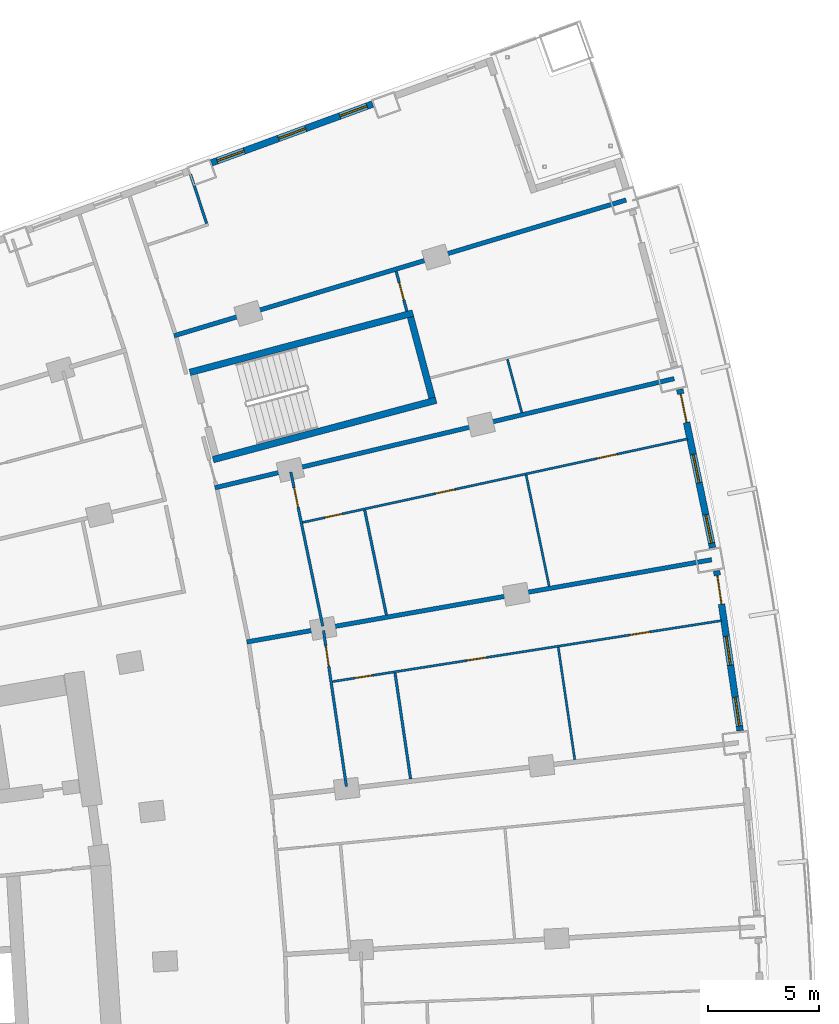
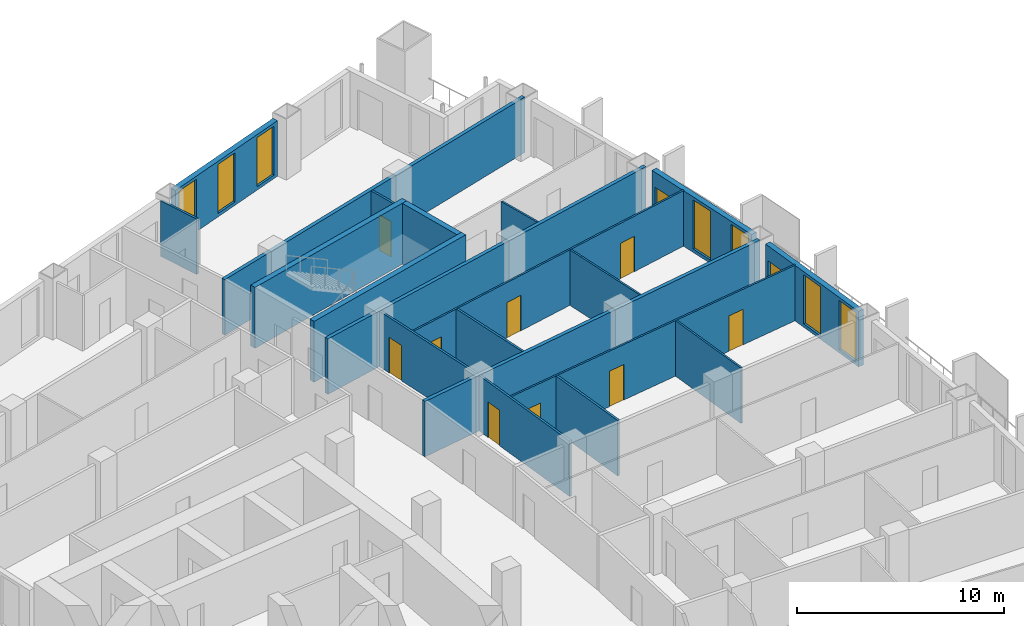
# One storey, part 20 of 25: 20 walls, 11 doors, 7 windows, 18 openings.
"""IFC4 building model written with IfcOpenShell, lengths in metres."""

from ifc_helpers import new_model, si_unit, direction, frame, frame_2d, origin, place, context, subcontext, project, spatial, rectangle, extrude, material, layer, layer_set, type_object, element, fill, save


model = new_model("IFC4")

# Units and contexts
model_context = context("Model", 3, precision=1e-05, world=origin(), true_north=direction((0.0, 1.0)))
body_context = subcontext(model_context, "Body", "Model", "MODEL_VIEW")
ifc_project = project(units=[si_unit("LENGTHUNIT", "METRE"), si_unit("AREAUNIT", "SQUARE_METRE"), si_unit("VOLUMEUNIT", "CUBIC_METRE"), si_unit("PLANEANGLEUNIT", "RADIAN"), si_unit("MASSUNIT", "GRAM", prefix="KILO")], contexts=[model_context])

# Site, building, storey
site_placement = place(None, origin())
site = spatial("IfcSite", under=ifc_project, at=site_placement, CompositionType="ELEMENT")
building_placement = place(site_placement, origin())
building = spatial("IfcBuilding", under=site, at=building_placement, Name="Alderwake Tower", CompositionType="ELEMENT")
storey_placement = place(building_placement, frame((0.0, 0.0, 68.0)))
storey = spatial("IfcBuildingStorey", under=building, at=storey_placement, Name="L16", CompositionType="ELEMENT", Elevation=68.0)

# Walls
ifc_material_1 = material(Name="Concrete C70/85", Category="concrete")
ifc_layer_1 = layer(ifc_material_1, 0.300048828125)
ifc_layer_set_1 = layer_set([ifc_layer_1], Name="Core wall stair enclosure 300 C70-85")
wall_type_1 = type_object("IfcWallType", Name="Core wall stair enclosure 300 C70-85", PredefinedType="SHEAR", material=ifc_layer_set_1)
for number, where, z_axis, x_axis, name in (
    (1, (36.71142578125, 94.182373046875, 0.0), (0.0, 0.0, 1.0), (0.966309214305, 0.257383958996, 0.0), "Core wall CW.082"),
    (2, (37.75390625, 90.268798828125, 0.0), (0.0, 0.0, 1.0), (0.966309214305, 0.257383958996, 0.0), "Core wall CW.084"),
):
    element("IfcWall", number, at=place(storey_placement, frame(where, z_axis=z_axis, x_axis=x_axis)), inside=storey, type_object=wall_type_1, Name=name, PredefinedType="SHEAR", context=body_context, shape_type="SweptSolid", body=[
        extrude(rectangle(XDim=10.360107421875, YDim=0.300048828125, at=frame_2d((5.18017578125, 0.0))), origin(), (0.0, 0.0, 1.0), 3.60009765625),
    ])
wall_1_placement = place(storey_placement, frame((47.581298828125, 93.041748046875, 0.0), z_axis=(0.0, 0.0, 1.0), x_axis=(-0.257366821694, 0.966313778796, 0.0)))
element("IfcWall", 3, at=wall_1_placement, inside=storey, type_object=wall_type_1, Name="Core wall CW.081", PredefinedType="SHEAR", context=body_context, shape_type="SweptSolid", body=[
    extrude(rectangle(XDim=3.749755859375, YDim=0.300048828125, at=frame_2d((1.875, 0.0))), origin(), (0.0, 0.0, 1.0), 3.60009765625),
])

# Wall, openings, door, windows
ifc_material_2 = material(Name="Precast concrete C50/60 spandrel panel", Category="concrete")
ifc_layer_2 = layer(ifc_material_2, 0.300048828125)
ifc_layer_set_2 = layer_set([ifc_layer_2], Name="External wall EW1 Precast concrete C50/60 spandrel")
wall_type_2 = type_object("IfcWallType", Name="External wall EW1 Precast concrete C50/60 spandrel", PredefinedType="SOLIDWALL", material=ifc_layer_set_2)
wall_2_placement = place(storey_placement, frame((61.405517578125, 78.1005859375, 0.0), z_axis=(0.0, 0.0, 1.0), x_axis=(-0.145323578953, 0.989384180892, 0.0)))
wall_2 = element("IfcWall", 4, at=wall_2_placement, inside=storey, type_object=wall_type_2, Name="External wall 19", PredefinedType="SOLIDWALL", context=body_context, shape_type="SweptSolid", body=[
    extrude(rectangle(XDim=7.25927734375, YDim=0.300048828125, at=frame_2d((3.629638671875, 0.0))), origin(), (0.0, 0.0, 1.0), 3.280029296875),
])
opening_1_placement = place(wall_2_placement, frame((0.215087890625, 0.0, 0.199951171875)))
opening_1 = element("IfcOpeningElement", 5, at=opening_1_placement, cuts=wall_2, Name="Opening W1", PredefinedType="OPENING", context=body_context, shape_type="SweptSolid", body=[
    extrude(rectangle(XDim=1.300048828125, YDim=2.89990234375, at=frame_2d((0.64990234375, 1.449951171875))), frame((0.0, 0.159912109375, 0.0), z_axis=(0.0, -1.0, 0.0), x_axis=(1.0, 0.0, 0.0)), (0.0, 0.0, 1.0), 0.320068359375),
])
opening_2_placement = place(wall_2_placement, frame((2.9794921875, 0.0, 0.199951171875)))
opening_2 = element("IfcOpeningElement", 6, at=opening_2_placement, cuts=wall_2, Name="Opening W1", PredefinedType="OPENING", context=body_context, shape_type="SweptSolid", body=[
    extrude(rectangle(XDim=1.300048828125, YDim=2.89990234375, at=frame_2d((0.64990234375, 1.449951171875))), frame((0.0, 0.159912109375, 0.0), z_axis=(0.0, -1.0, 0.0), x_axis=(1.0, 0.0, 0.0)), (0.0, 0.0, 1.0), 0.320068359375),
])
opening_3_placement = place(wall_2_placement, frame((5.744140625, 0.0, 0.0)))
opening_3 = element("IfcOpeningElement", 7, at=opening_3_placement, cuts=wall_2, Name="Opening D10", PredefinedType="OPENING", context=body_context, shape_type="SweptSolid", body=[
    extrude(rectangle(XDim=1.300048828125, YDim=2.39990234375, at=frame_2d((0.64990234375, 1.199951171875))), frame((0.0, 0.159912109375, 0.0), z_axis=(0.0, -1.0, 0.0), x_axis=(1.0, 0.0, 0.0)), (0.0, 0.0, 1.0), 0.320068359375),
])
ifc_material_3 = material(Name="Bronze tinted glass in aluminium frame", Category="aluminium")
door_type_1 = type_object("IfcDoorType", Name="Balcony door BD sliding", OperationType="SLIDING_TO_LEFT", PredefinedType="DOOR", material=ifc_material_3)
door_1_placement = place(opening_3_placement, origin())
door_1 = element("IfcDoor", 8, at=door_1_placement, inside=storey, type_object=door_type_1, Name="Door D10", OperationType="SLIDING_TO_LEFT", OverallHeight=2.39990234375, OverallWidth=1.300048828125, PredefinedType="DOOR", context=body_context, shape_type="SweptSolid", body=[
    extrude(rectangle(XDim=1.300048828125, YDim=2.39990234375, at=frame_2d((0.64990234375, 1.199951171875))), frame((0.0, 0.02490234375, 0.0), z_axis=(0.0, -1.0, 0.0), x_axis=(1.0, 0.0, 0.0)), (0.0, 0.0, 1.0), 0.050048828125),
])
fill(opening_3, door_1)
ifc_material_4 = material(Name="Bronze tinted glass in aluminium frame", Category="aluminium")
window_type = type_object("IfcWindowType", Name="Window W1 tall fixed and vent", PartitioningType="DOUBLE_PANEL_VERTICAL", PredefinedType="WINDOW", material=ifc_material_4)
window_1_placement = place(opening_1_placement, origin())
window_1 = element("IfcWindow", 9, at=window_1_placement, inside=storey, type_object=window_type, Name="Window W1 tall fixed and vent", OverallHeight=2.89990234375, OverallWidth=1.300048828125, PartitioningType="DOUBLE_PANEL_VERTICAL", PredefinedType="WINDOW", context=body_context, shape_type="SweptSolid", body=[
    extrude(rectangle(XDim=1.300048828125, YDim=2.89990234375, at=frame_2d((0.64990234375, 1.449951171875))), frame((0.0, 0.030029296875, 0.0), z_axis=(0.0, -1.0, 0.0), x_axis=(1.0, 0.0, 0.0)), (0.0, 0.0, 1.0), 0.06005859375),
])
fill(opening_1, window_1)
window_2_placement = place(opening_2_placement, origin())
window_2 = element("IfcWindow", 10, at=window_2_placement, inside=storey, type_object=window_type, Name="Window W1 tall fixed and vent", OverallHeight=2.89990234375, OverallWidth=1.300048828125, PartitioningType="DOUBLE_PANEL_VERTICAL", PredefinedType="WINDOW", context=body_context, shape_type="SweptSolid", body=[
    extrude(rectangle(XDim=1.300048828125, YDim=2.89990234375, at=frame_2d((0.64990234375, 1.449951171875))), frame((0.0, 0.030029296875, 0.0), z_axis=(0.0, -1.0, 0.0), x_axis=(1.0, 0.0, 0.0)), (0.0, 0.0, 1.0), 0.06005859375),
])
fill(opening_2, window_2)

wall_3_placement = place(storey_placement, frame((60.16796875, 86.3154296875, 0.0), z_axis=(0.0, 0.0, 1.0), x_axis=(-0.20276685811, 0.97922704275, 0.0)))
wall_3 = element("IfcWall", 11, at=wall_3_placement, inside=storey, type_object=wall_type_2, Name="External wall 20", PredefinedType="SOLIDWALL", context=body_context, shape_type="SweptSolid", body=[
    extrude(rectangle(XDim=7.25927734375, YDim=0.300048828125, at=frame_2d((3.629638671875, 0.0))), origin(), (0.0, 0.0, 1.0), 3.280029296875),
])
opening_4_placement = place(wall_3_placement, frame((0.215087890625, 0.0, 0.199951171875)))
opening_4 = element("IfcOpeningElement", 12, at=opening_4_placement, cuts=wall_3, Name="Opening W1", PredefinedType="OPENING", context=body_context, shape_type="SweptSolid", body=[
    extrude(rectangle(XDim=1.300048828125, YDim=2.89990234375, at=frame_2d((0.64990234375, 1.449951171875))), frame((0.0, 0.159912109375, 0.0), z_axis=(0.0, -1.0, 0.0), x_axis=(1.0, 0.0, 0.0)), (0.0, 0.0, 1.0), 0.320068359375),
])
opening_5_placement = place(wall_3_placement, frame((2.9794921875, 0.0, 0.199951171875)))
opening_5 = element("IfcOpeningElement", 13, at=opening_5_placement, cuts=wall_3, Name="Opening W1", PredefinedType="OPENING", context=body_context, shape_type="SweptSolid", body=[
    extrude(rectangle(XDim=1.300048828125, YDim=2.89990234375, at=frame_2d((0.64990234375, 1.449951171875))), frame((0.0, 0.159912109375, 0.0), z_axis=(0.0, -1.0, 0.0), x_axis=(1.0, 0.0, 0.0)), (0.0, 0.0, 1.0), 0.320068359375),
])
opening_6_placement = place(wall_3_placement, frame((5.744140625, 0.0, 0.0)))
opening_6 = element("IfcOpeningElement", 14, at=opening_6_placement, cuts=wall_3, Name="Opening D11", PredefinedType="OPENING", context=body_context, shape_type="SweptSolid", body=[
    extrude(rectangle(XDim=1.300048828125, YDim=2.39990234375, at=frame_2d((0.64990234375, 1.199951171875))), frame((0.0, 0.159912109375, 0.0), z_axis=(0.0, -1.0, 0.0), x_axis=(1.0, 0.0, 0.0)), (0.0, 0.0, 1.0), 0.320068359375),
])
door_2_placement = place(opening_6_placement, origin())
door_2 = element("IfcDoor", 15, at=door_2_placement, inside=storey, type_object=door_type_1, Name="Door D11", OperationType="SLIDING_TO_LEFT", OverallHeight=2.39990234375, OverallWidth=1.300048828125, PredefinedType="DOOR", context=body_context, shape_type="SweptSolid", body=[
    extrude(rectangle(XDim=1.300048828125, YDim=2.39990234375, at=frame_2d((0.64990234375, 1.199951171875))), frame((0.0, 0.02490234375, 0.0), z_axis=(0.0, -1.0, 0.0), x_axis=(1.0, 0.0, 0.0)), (0.0, 0.0, 1.0), 0.050048828125),
])
fill(opening_6, door_2)
window_3_placement = place(opening_4_placement, origin())
window_3 = element("IfcWindow", 16, at=window_3_placement, inside=storey, type_object=window_type, Name="Window W1 tall fixed and vent", OverallHeight=2.89990234375, OverallWidth=1.300048828125, PartitioningType="DOUBLE_PANEL_VERTICAL", PredefinedType="WINDOW", context=body_context, shape_type="SweptSolid", body=[
    extrude(rectangle(XDim=1.300048828125, YDim=2.89990234375, at=frame_2d((0.64990234375, 1.449951171875))), frame((0.0, 0.030029296875, 0.0), z_axis=(0.0, -1.0, 0.0), x_axis=(1.0, 0.0, 0.0)), (0.0, 0.0, 1.0), 0.06005859375),
])
fill(opening_4, window_3)
window_4_placement = place(opening_5_placement, origin())
window_4 = element("IfcWindow", 17, at=window_4_placement, inside=storey, type_object=window_type, Name="Window W1 tall fixed and vent", OverallHeight=2.89990234375, OverallWidth=1.300048828125, PartitioningType="DOUBLE_PANEL_VERTICAL", PredefinedType="WINDOW", context=body_context, shape_type="SweptSolid", body=[
    extrude(rectangle(XDim=1.300048828125, YDim=2.89990234375, at=frame_2d((0.64990234375, 1.449951171875))), frame((0.0, 0.030029296875, 0.0), z_axis=(0.0, -1.0, 0.0), x_axis=(1.0, 0.0, 0.0)), (0.0, 0.0, 1.0), 0.06005859375),
])
fill(opening_5, window_4)

# Wall, openings, windows
ifc_material_5 = material(Name="Bronze metal cladding on lightweight framing")
ifc_layer_3 = layer(ifc_material_5, 0.300048828125)
ifc_layer_set_3 = layer_set([ifc_layer_3], Name="External wall EW2 bronze metal cladding")
wall_type_3 = type_object("IfcWallType", Name="External wall EW2 bronze metal cladding", PredefinedType="SOLIDWALL", material=ifc_layer_set_3)
wall_4_placement = place(storey_placement, frame((44.91259765625, 106.22412109375, 0.0), z_axis=(0.0, 0.0, 1.0), x_axis=(-0.939374999544, -0.342891542958, 0.0)))
wall_4 = element("IfcWall", 18, at=wall_4_placement, inside=storey, type_object=wall_type_3, Name="External wall 26", PredefinedType="SOLIDWALL", context=body_context, shape_type="SweptSolid", body=[
    extrude(rectangle(XDim=7.696044921875, YDim=0.300048828125, at=frame_2d((3.84814453125, 0.0))), origin(), (0.0, 0.0, 1.0), 3.280029296875),
])
opening_7_placement = place(wall_4_placement, frame((0.2646484375, 0.0, 0.199951171875)))
opening_7 = element("IfcOpeningElement", 19, at=opening_7_placement, cuts=wall_4, Name="Opening W1", PredefinedType="OPENING", context=body_context, shape_type="SweptSolid", body=[
    extrude(rectangle(XDim=1.300048828125, YDim=2.89990234375, at=frame_2d((0.64990234375, 1.449951171875))), frame((0.0, 0.159912109375, 0.0), z_axis=(0.0, -1.0, 0.0), x_axis=(1.0, 0.0, 0.0)), (0.0, 0.0, 1.0), 0.320068359375),
])
opening_8_placement = place(wall_4_placement, frame((3.197998046875, 0.0, 0.199951171875)))
opening_8 = element("IfcOpeningElement", 20, at=opening_8_placement, cuts=wall_4, Name="Opening W1", PredefinedType="OPENING", context=body_context, shape_type="SweptSolid", body=[
    extrude(rectangle(XDim=1.300048828125, YDim=2.89990234375, at=frame_2d((0.64990234375, 1.449951171875))), frame((0.0, 0.159912109375, 0.0), z_axis=(0.0, -1.0, 0.0), x_axis=(1.0, 0.0, 0.0)), (0.0, 0.0, 1.0), 0.320068359375),
])
opening_9_placement = place(wall_4_placement, frame((6.13134765625, 0.0, 0.199951171875)))
opening_9 = element("IfcOpeningElement", 21, at=opening_9_placement, cuts=wall_4, Name="Opening W1", PredefinedType="OPENING", context=body_context, shape_type="SweptSolid", body=[
    extrude(rectangle(XDim=1.300048828125, YDim=2.89990234375, at=frame_2d((0.64990234375, 1.449951171875))), frame((0.0, 0.159912109375, 0.0), z_axis=(0.0, -1.0, 0.0), x_axis=(1.0, 0.0, 0.0)), (0.0, 0.0, 1.0), 0.320068359375),
])
window_5_placement = place(opening_7_placement, origin())
window_5 = element("IfcWindow", 22, at=window_5_placement, inside=storey, type_object=window_type, Name="Window W1 tall fixed and vent", OverallHeight=2.89990234375, OverallWidth=1.300048828125, PartitioningType="DOUBLE_PANEL_VERTICAL", PredefinedType="WINDOW", context=body_context, shape_type="SweptSolid", body=[
    extrude(rectangle(XDim=1.300048828125, YDim=2.89990234375, at=frame_2d((0.64990234375, 1.449951171875))), frame((0.0, 0.030029296875, 0.0), z_axis=(0.0, -1.0, 0.0), x_axis=(1.0, 0.0, 0.0)), (0.0, 0.0, 1.0), 0.06005859375),
])
fill(opening_7, window_5)
window_6_placement = place(opening_8_placement, origin())
window_6 = element("IfcWindow", 23, at=window_6_placement, inside=storey, type_object=window_type, Name="Window W1 tall fixed and vent", OverallHeight=2.89990234375, OverallWidth=1.300048828125, PartitioningType="DOUBLE_PANEL_VERTICAL", PredefinedType="WINDOW", context=body_context, shape_type="SweptSolid", body=[
    extrude(rectangle(XDim=1.300048828125, YDim=2.89990234375, at=frame_2d((0.64990234375, 1.449951171875))), frame((0.0, 0.030029296875, 0.0), z_axis=(0.0, -1.0, 0.0), x_axis=(1.0, 0.0, 0.0)), (0.0, 0.0, 1.0), 0.06005859375),
])
fill(opening_8, window_6)
window_7_placement = place(opening_9_placement, origin())
window_7 = element("IfcWindow", 24, at=window_7_placement, inside=storey, type_object=window_type, Name="Window W1 tall fixed and vent", OverallHeight=2.89990234375, OverallWidth=1.300048828125, PartitioningType="DOUBLE_PANEL_VERTICAL", PredefinedType="WINDOW", context=body_context, shape_type="SweptSolid", body=[
    extrude(rectangle(XDim=1.300048828125, YDim=2.89990234375, at=frame_2d((0.64990234375, 1.449951171875))), frame((0.0, 0.030029296875, 0.0), z_axis=(0.0, -1.0, 0.0), x_axis=(1.0, 0.0, 0.0)), (0.0, 0.0, 1.0), 0.06005859375),
])
fill(opening_9, window_7)

# Walls
ifc_material_6 = material(Name="Dense block masonry wall", Category="masonry")
ifc_layer_4 = layer(ifc_material_6, 0.199951171875)
ifc_layer_set_4 = layer_set([ifc_layer_4], Name="Party wall 200")
wall_type_4 = type_object("IfcWallType", Name="Party wall 200", PredefinedType="SOLIDWALL", material=ifc_layer_set_4)
wall_5_placement = place(storey_placement, frame((37.839111328125, 89.006591796875, 0.0), z_axis=(0.0, 0.0, 1.0), x_axis=(0.972904338918, 0.23120801741, 0.0)))
element("IfcWall", 25, at=wall_5_placement, inside=storey, type_object=wall_type_4, Name="WL/L16/W07", PredefinedType="SOLIDWALL", context=body_context, shape_type="SweptSolid", body=[
    extrude(rectangle(XDim=21.177734375, YDim=0.199951171875, at=frame_2d((10.5888671875, 0.0))), origin(), (0.0, 0.0, 1.0), 3.280029296875),
])
wall_6_placement = place(storey_placement, frame((56.2890625, 101.9189453125, 0.0), z_axis=(0.0, 0.0, 1.0), x_axis=(-0.95773994747, -0.287635521137, 0.0)))
element("IfcWall", 26, at=wall_6_placement, inside=storey, type_object=wall_type_4, Name="WL/L16/W09", PredefinedType="SOLIDWALL", context=body_context, shape_type="SweptSolid", body=[
    extrude(rectangle(XDim=21.1796875, YDim=0.199951171875, at=frame_2d((10.58984375, 0.0))), origin(), (0.0, 0.0, 1.0), 3.280029296875),
])
wall_7_placement = place(storey_placement, frame((60.1259765625, 85.77587890625, 0.0), z_axis=(0.0, 0.0, 1.0), x_axis=(-0.984717809282, -0.174157503663, 0.0)))
element("IfcWall", 27, at=wall_7_placement, inside=storey, type_object=wall_type_4, Name="WL/L16/W11", PredefinedType="SOLIDWALL", context=body_context, shape_type="SweptSolid", body=[
    extrude(rectangle(XDim=21.180419921875, YDim=0.199951171875, at=frame_2d((10.59033203125, 0.0))), origin(), (0.0, 0.0, 1.0), 3.280029296875),
])

# Wall, openings, doors
ifc_material_7 = material(Name="Gypsum board on metal studs")
ifc_layer_5 = layer(ifc_material_7, 0.10009765625)
ifc_layer_set_5 = layer_set([ifc_layer_5], Name="Unit partition 100")
wall_type_5 = type_object("IfcWallType", Name="Unit partition 100", PredefinedType="PARTITIONING", material=ifc_layer_set_5)
wall_8_placement = place(storey_placement, frame((59.054931640625, 91.202880859375, 0.0), z_axis=(0.0, 0.0, 1.0), x_axis=(-0.977230284705, -0.212181456906, 0.0)))
wall_8 = element("IfcWall", 28, at=wall_8_placement, inside=storey, type_object=wall_type_5, Name="WL/L16/W75", PredefinedType="PARTITIONING", context=body_context, shape_type="SweptSolid", body=[
    extrude(rectangle(XDim=17.683837890625, YDim=0.10009765625, at=frame_2d((8.841796875, 0.0))), origin(), (0.0, 0.0, 1.0), 3.280029296875),
])
opening_10_placement = place(wall_8_placement, frame((10.688720703125, 0.0, 0.0)))
opening_10 = element("IfcOpeningElement", 29, at=opening_10_placement, cuts=wall_8, Name="Opening R04-U11.1", PredefinedType="OPENING", context=body_context, shape_type="SweptSolid", body=[
    extrude(rectangle(XDim=0.89990234375, YDim=2.10009765625, at=frame_2d((0.449951171875, 1.050048828125))), frame((0.0, 0.06005859375, 0.0), z_axis=(0.0, -1.0, 0.0), x_axis=(1.0, 0.0, 0.0)), (0.0, 0.0, 1.0), 0.1201171875),
])
opening_11_placement = place(wall_8_placement, frame((15.86474609375, 0.0, 0.0)))
opening_11 = element("IfcOpeningElement", 30, at=opening_11_placement, cuts=wall_8, Name="Opening R04-U11.4", PredefinedType="OPENING", context=body_context, shape_type="SweptSolid", body=[
    extrude(rectangle(XDim=0.800048828125, YDim=2.10009765625, at=frame_2d((0.39990234375, 1.050048828125))), frame((0.0, 0.06005859375, 0.0), z_axis=(0.0, -1.0, 0.0), x_axis=(1.0, 0.0, 0.0)), (0.0, 0.0, 1.0), 0.1201171875),
])
opening_12_placement = place(wall_8_placement, frame((3.26611328125, 0.0, 0.0)))
opening_12 = element("IfcOpeningElement", 31, at=opening_12_placement, cuts=wall_8, Name="Opening R04-U11.5", PredefinedType="OPENING", context=body_context, shape_type="SweptSolid", body=[
    extrude(rectangle(XDim=0.89990234375, YDim=2.10009765625, at=frame_2d((0.449951171875, 1.050048828125))), frame((0.0, 0.06005859375, 0.0), z_axis=(0.0, -1.0, 0.0), x_axis=(1.0, 0.0, 0.0)), (0.0, 0.0, 1.0), 0.1201171875),
])
ifc_material_8 = material(Name="Painted timber leaf", Category="wood")
door_type_2 = type_object("IfcDoorType", Name="Bathroom door 800", OperationType="SINGLE_SWING_LEFT", PredefinedType="DOOR", material=ifc_material_8)
door_3_placement = place(opening_11_placement, origin())
door_3 = element("IfcDoor", 32, at=door_3_placement, inside=storey, type_object=door_type_2, Name="DR/L16/U11.4", OperationType="SINGLE_SWING_LEFT", OverallHeight=2.10009765625, OverallWidth=0.800048828125, PredefinedType="DOOR", context=body_context, shape_type="SweptSolid", body=[
    extrude(rectangle(XDim=0.800048828125, YDim=2.10009765625, at=frame_2d((0.39990234375, 1.050048828125))), frame((0.0, 0.02490234375, 0.0), z_axis=(0.0, -1.0, 0.0), x_axis=(1.0, 0.0, 0.0)), (0.0, 0.0, 1.0), 0.050048828125),
])
fill(opening_11, door_3)
ifc_material_9 = material(Name="Painted timber leaf", Category="wood")
door_type_3 = type_object("IfcDoorType", Name="Room door 900", OperationType="SINGLE_SWING_LEFT", PredefinedType="DOOR", material=ifc_material_9)
door_4_placement = place(opening_10_placement, origin())
door_4 = element("IfcDoor", 33, at=door_4_placement, inside=storey, type_object=door_type_3, Name="DR/L16/U11.1", OperationType="SINGLE_SWING_LEFT", OverallHeight=2.10009765625, OverallWidth=0.89990234375, PredefinedType="DOOR", context=body_context, shape_type="SweptSolid", body=[
    extrude(rectangle(XDim=0.89990234375, YDim=2.10009765625, at=frame_2d((0.449951171875, 1.050048828125))), frame((0.0, 0.02490234375, 0.0), z_axis=(0.0, -1.0, 0.0), x_axis=(1.0, 0.0, 0.0)), (0.0, 0.0, 1.0), 0.050048828125),
])
fill(opening_10, door_4)
door_5_placement = place(opening_12_placement, origin())
door_5 = element("IfcDoor", 34, at=door_5_placement, inside=storey, type_object=door_type_3, Name="DR/L16/U11.5", OperationType="SINGLE_SWING_LEFT", OverallHeight=2.10009765625, OverallWidth=0.89990234375, PredefinedType="DOOR", context=body_context, shape_type="SweptSolid", body=[
    extrude(rectangle(XDim=0.89990234375, YDim=2.10009765625, at=frame_2d((0.449951171875, 1.050048828125))), frame((0.0, 0.02490234375, 0.0), z_axis=(0.0, -1.0, 0.0), x_axis=(1.0, 0.0, 0.0)), (0.0, 0.0, 1.0), 0.050048828125),
])
fill(opening_12, door_5)

wall_9_placement = place(storey_placement, frame((60.5791015625, 83.0458984375, 0.0), z_axis=(0.0, 0.0, 1.0), x_axis=(-0.987935311917, -0.154867102602, 0.0)))
wall_9 = element("IfcWall", 35, at=wall_9_placement, inside=storey, type_object=wall_type_5, Name="WL/L16/W76", PredefinedType="PARTITIONING", context=body_context, shape_type="SweptSolid", body=[
    extrude(rectangle(XDim=17.68310546875, YDim=0.10009765625, at=frame_2d((8.841552734375, 0.0))), origin(), (0.0, 0.0, 1.0), 3.280029296875),
])
opening_13_placement = place(wall_9_placement, frame((10.6884765625, 0.0, 0.0)))
opening_13 = element("IfcOpeningElement", 36, at=opening_13_placement, cuts=wall_9, Name="Opening R04-U10.1", PredefinedType="OPENING", context=body_context, shape_type="SweptSolid", body=[
    extrude(rectangle(XDim=0.89990234375, YDim=2.10009765625, at=frame_2d((0.449951171875, 1.050048828125))), frame((0.0, 0.06005859375, 0.0), z_axis=(0.0, -1.0, 0.0), x_axis=(1.0, 0.0, 0.0)), (0.0, 0.0, 1.0), 0.1201171875),
])
opening_14_placement = place(wall_9_placement, frame((15.8642578125, 0.0, 0.0)))
opening_14 = element("IfcOpeningElement", 37, at=opening_14_placement, cuts=wall_9, Name="Opening R04-U10.4", PredefinedType="OPENING", context=body_context, shape_type="SweptSolid", body=[
    extrude(rectangle(XDim=0.800048828125, YDim=2.10009765625, at=frame_2d((0.39990234375, 1.050048828125))), frame((0.0, 0.06005859375, 0.0), z_axis=(0.0, -1.0, 0.0), x_axis=(1.0, 0.0, 0.0)), (0.0, 0.0, 1.0), 0.1201171875),
])
opening_15_placement = place(wall_9_placement, frame((3.26611328125, 0.0, 0.0)))
opening_15 = element("IfcOpeningElement", 38, at=opening_15_placement, cuts=wall_9, Name="Opening R04-U10.5", PredefinedType="OPENING", context=body_context, shape_type="SweptSolid", body=[
    extrude(rectangle(XDim=0.89990234375, YDim=2.10009765625, at=frame_2d((0.449951171875, 1.050048828125))), frame((0.0, 0.06005859375, 0.0), z_axis=(0.0, -1.0, 0.0), x_axis=(1.0, 0.0, 0.0)), (0.0, 0.0, 1.0), 0.1201171875),
])
door_6_placement = place(opening_14_placement, origin())
door_6 = element("IfcDoor", 39, at=door_6_placement, inside=storey, type_object=door_type_2, Name="DR/L16/U10.4", OperationType="SINGLE_SWING_LEFT", OverallHeight=2.10009765625, OverallWidth=0.800048828125, PredefinedType="DOOR", context=body_context, shape_type="SweptSolid", body=[
    extrude(rectangle(XDim=0.800048828125, YDim=2.10009765625, at=frame_2d((0.39990234375, 1.050048828125))), frame((0.0, 0.02490234375, 0.0), z_axis=(0.0, -1.0, 0.0), x_axis=(1.0, 0.0, 0.0)), (0.0, 0.0, 1.0), 0.050048828125),
])
fill(opening_14, door_6)
door_7_placement = place(opening_13_placement, origin())
door_7 = element("IfcDoor", 40, at=door_7_placement, inside=storey, type_object=door_type_3, Name="DR/L16/U10.1", OperationType="SINGLE_SWING_LEFT", OverallHeight=2.10009765625, OverallWidth=0.89990234375, PredefinedType="DOOR", context=body_context, shape_type="SweptSolid", body=[
    extrude(rectangle(XDim=0.89990234375, YDim=2.10009765625, at=frame_2d((0.449951171875, 1.050048828125))), frame((0.0, 0.02490234375, 0.0), z_axis=(0.0, -1.0, 0.0), x_axis=(1.0, 0.0, 0.0)), (0.0, 0.0, 1.0), 0.050048828125),
])
fill(opening_13, door_7)
door_8_placement = place(opening_15_placement, origin())
door_8 = element("IfcDoor", 41, at=door_8_placement, inside=storey, type_object=door_type_3, Name="DR/L16/U10.5", OperationType="SINGLE_SWING_LEFT", OverallHeight=2.10009765625, OverallWidth=0.89990234375, PredefinedType="DOOR", context=body_context, shape_type="SweptSolid", body=[
    extrude(rectangle(XDim=0.89990234375, YDim=2.10009765625, at=frame_2d((0.449951171875, 1.050048828125))), frame((0.0, 0.02490234375, 0.0), z_axis=(0.0, -1.0, 0.0), x_axis=(1.0, 0.0, 0.0)), (0.0, 0.0, 1.0), 0.050048828125),
])
fill(opening_15, door_8)

# Walls
wall_10_placement = place(storey_placement, frame((51.60693359375, 92.379638671875, 0.0), z_axis=(0.0, 0.0, 1.0), x_axis=(-0.259952302089, 0.965621458253, 0.0)))
element("IfcWall", 42, at=wall_10_placement, inside=storey, type_object=wall_type_5, Name="WL/L16/W86", PredefinedType="PARTITIONING", context=body_context, shape_type="SweptSolid", body=[
    extrude(rectangle(XDim=2.481201171875, YDim=0.10009765625, at=frame_2d((1.24072265625, 0.0))), origin(), (0.0, 0.0, 1.0), 3.280029296875),
])
wall_11_placement = place(storey_placement, frame((52.836669921875, 84.5869140625, 0.0), z_axis=(0.0, 0.0, 1.0), x_axis=(-0.202944458238, 0.9791902506, 0.0)))
element("IfcWall", 43, at=wall_11_placement, inside=storey, type_object=wall_type_5, Name="WL/L16/W87", PredefinedType="PARTITIONING", context=body_context, shape_type="SweptSolid", body=[
    extrude(rectangle(XDim=5.098388671875, YDim=0.10009765625, at=frame_2d((2.54931640625, 0.0))), origin(), (0.0, 0.0, 1.0), 3.280029296875),
])
wall_12_placement = place(storey_placement, frame((53.985595703125, 76.802978515625, 0.0), z_axis=(0.0, 0.0, 1.0), x_axis=(-0.145270530609, 0.989391971332, 0.0)))
element("IfcWall", 44, at=wall_12_placement, inside=storey, type_object=wall_type_5, Name="WL/L16/W88", PredefinedType="PARTITIONING", context=body_context, shape_type="SweptSolid", body=[
    extrude(rectangle(XDim=5.095458984375, YDim=0.10009765625, at=frame_2d((2.5478515625, 0.0))), origin(), (0.0, 0.0, 1.0), 3.280029296875),
])
ifc_material_10 = material(Name="Moisture resistant gypsum board on metal studs")
ifc_layer_6 = layer(ifc_material_10, 0.1201171875)
ifc_layer_set_6 = layer_set([ifc_layer_6], Name="Wet room partition 120")
wall_type_6 = type_object("IfcWallType", Name="Wet room partition 120", PredefinedType="PARTITIONING", material=ifc_layer_set_6)
wall_13_placement = place(storey_placement, frame((37.468994140625, 100.863037109375, 0.0), z_axis=(0.0, 0.0, 1.0), x_axis=(-0.314251248963, 0.94933985091, 0.0)))
element("IfcWall", 45, at=wall_13_placement, inside=storey, type_object=wall_type_6, Name="WL/L16/W53", PredefinedType="PARTITIONING", context=body_context, shape_type="SweptSolid", body=[
    extrude(rectangle(XDim=2.33544921875, YDim=0.1201171875, at=frame_2d((1.167724609375, 0.0))), origin(), (0.0, 0.0, 1.0), 3.280029296875),
])

# Wall, opening, door
wall_14_placement = place(storey_placement, frame((41.243408203125, 89.712890625, 0.0), z_axis=(0.0, 0.0, 1.0), x_axis=(0.202695854643, -0.979241742631, 0.0)))
wall_14 = element("IfcWall", 46, at=wall_14_placement, inside=storey, type_object=wall_type_6, Name="WL/L16/W55", PredefinedType="PARTITIONING", context=body_context, shape_type="SweptSolid", body=[
    extrude(rectangle(XDim=7.066650390625, YDim=0.1201171875, at=frame_2d((3.533203125, 0.0))), origin(), (0.0, 0.0, 1.0), 3.280029296875),
])
opening_16_placement = place(wall_14_placement, frame((0.711669921875, 0.0, 0.0)))
opening_16 = element("IfcOpeningElement", 47, at=opening_16_placement, cuts=wall_14, Name="Opening R04-U11.3", PredefinedType="OPENING", context=body_context, shape_type="SweptSolid", body=[
    extrude(rectangle(XDim=0.89990234375, YDim=2.10009765625, at=frame_2d((0.449951171875, 1.050048828125))), frame((0.0, 0.070068359375, 0.0), z_axis=(0.0, -1.0, 0.0), x_axis=(1.0, 0.0, 0.0)), (0.0, 0.0, 1.0), 0.14013671875),
])
door_9_placement = place(opening_16_placement, origin())
door_9 = element("IfcDoor", 48, at=door_9_placement, inside=storey, type_object=door_type_3, Name="DR/L16/U11.3", OperationType="SINGLE_SWING_LEFT", OverallHeight=2.10009765625, OverallWidth=0.89990234375, PredefinedType="DOOR", context=body_context, shape_type="SweptSolid", body=[
    extrude(rectangle(XDim=0.89990234375, YDim=2.10009765625, at=frame_2d((0.449951171875, 1.050048828125))), frame((0.0, 0.02490234375, 0.0), z_axis=(0.0, -1.0, 0.0), x_axis=(1.0, 0.0, 0.0)), (0.0, 0.0, 1.0), 0.050048828125),
])
fill(opening_16, door_9)

wall_15_placement = place(storey_placement, frame((42.71044921875, 82.595947265625, 0.0), z_axis=(0.0, 0.0, 1.0), x_axis=(0.145317973425, -0.989385004232, 0.0)))
wall_15 = element("IfcWall", 49, at=wall_15_placement, inside=storey, type_object=wall_type_6, Name="WL/L16/W57", PredefinedType="PARTITIONING", context=body_context, shape_type="SweptSolid", body=[
    extrude(rectangle(XDim=7.06787109375, YDim=0.1201171875, at=frame_2d((3.533935546875, 0.0))), origin(), (0.0, 0.0, 1.0), 3.280029296875),
])
opening_17_placement = place(wall_15_placement, frame((0.7119140625, 0.0, 0.0)))
opening_17 = element("IfcOpeningElement", 50, at=opening_17_placement, cuts=wall_15, Name="Opening R04-U10.3", PredefinedType="OPENING", context=body_context, shape_type="SweptSolid", body=[
    extrude(rectangle(XDim=0.89990234375, YDim=2.10009765625, at=frame_2d((0.449951171875, 1.050048828125))), frame((0.0, 0.070068359375, 0.0), z_axis=(0.0, -1.0, 0.0), x_axis=(1.0, 0.0, 0.0)), (0.0, 0.0, 1.0), 0.14013671875),
])
door_10_placement = place(opening_17_placement, origin())
door_10 = element("IfcDoor", 51, at=door_10_placement, inside=storey, type_object=door_type_3, Name="DR/L16/U10.3", OperationType="SINGLE_SWING_LEFT", OverallHeight=2.10009765625, OverallWidth=0.89990234375, PredefinedType="DOOR", context=body_context, shape_type="SweptSolid", body=[
    extrude(rectangle(XDim=0.89990234375, YDim=2.10009765625, at=frame_2d((0.449951171875, 1.050048828125))), frame((0.0, 0.02490234375, 0.0), z_axis=(0.0, -1.0, 0.0), x_axis=(1.0, 0.0, 0.0)), (0.0, 0.0, 1.0), 0.050048828125),
])
fill(opening_17, door_10)

# Wall
wall_16_placement = place(storey_placement, frame((45.53173828125, 83.297119140625, 0.0), z_axis=(0.0, 0.0, 1.0), x_axis=(-0.202763480801, 0.979227742077, 0.0)))
element("IfcWall", 52, at=wall_16_placement, inside=storey, type_object=wall_type_6, Name="WL/L16/W62", PredefinedType="PARTITIONING", context=body_context, shape_type="SweptSolid", body=[
    extrude(rectangle(XDim=4.806640625, YDim=0.1201171875, at=frame_2d((2.4033203125, 0.0))), origin(), (0.0, 0.0, 1.0), 3.280029296875),
])

# Wall, opening, door
wall_17_placement = place(storey_placement, frame((46.448974609375, 96.929931640625, 0.0), z_axis=(0.0, 0.0, 1.0), x_axis=(-0.258764710752, 0.965940383497, 0.0)))
wall_17 = element("IfcWall", 53, at=wall_17_placement, inside=storey, type_object=wall_type_6, Name="WL/L16/W63", PredefinedType="PARTITIONING", context=body_context, shape_type="SweptSolid", body=[
    extrude(rectangle(XDim=1.847412109375, YDim=0.1201171875, at=frame_2d((0.923828125, 0.0))), origin(), (0.0, 0.0, 1.0), 3.280029296875),
])
opening_18_placement = place(wall_17_placement, frame((0.524169921875, 0.0, 0.0)))
opening_18 = element("IfcOpeningElement", 54, at=opening_18_placement, cuts=wall_17, Name="Opening R04-U02.4", PredefinedType="OPENING", context=body_context, shape_type="SweptSolid", body=[
    extrude(rectangle(XDim=0.800048828125, YDim=2.10009765625, at=frame_2d((0.39990234375, 1.050048828125))), frame((0.0, 0.070068359375, 0.0), z_axis=(0.0, -1.0, 0.0), x_axis=(1.0, 0.0, 0.0)), (0.0, 0.0, 1.0), 0.14013671875),
])
door_11_placement = place(opening_18_placement, origin())
door_11 = element("IfcDoor", 55, at=door_11_placement, inside=storey, type_object=door_type_2, Name="DR/L16/U02.4", OperationType="SINGLE_SWING_LEFT", OverallHeight=2.10009765625, OverallWidth=0.800048828125, PredefinedType="DOOR", context=body_context, shape_type="SweptSolid", body=[
    extrude(rectangle(XDim=0.800048828125, YDim=2.10009765625, at=frame_2d((0.39990234375, 1.050048828125))), frame((0.0, 0.02490234375, 0.0), z_axis=(0.0, -1.0, 0.0), x_axis=(1.0, 0.0, 0.0)), (0.0, 0.0, 1.0), 0.050048828125),
])
fill(opening_18, door_11)

# Wall
wall_18_placement = place(storey_placement, frame((46.617431640625, 75.93896484375, 0.0), z_axis=(0.0, 0.0, 1.0), x_axis=(-0.145238137818, 0.989396726962, 0.0)))
element("IfcWall", 56, at=wall_18_placement, inside=storey, type_object=wall_type_6, Name="WL/L16/W65", PredefinedType="PARTITIONING", context=body_context, shape_type="SweptSolid", body=[
    extrude(rectangle(XDim=4.8076171875, YDim=0.1201171875, at=frame_2d((2.40380859375, 0.0))), origin(), (0.0, 0.0, 1.0), 3.280029296875),
])

save(model, "model.ifc")
